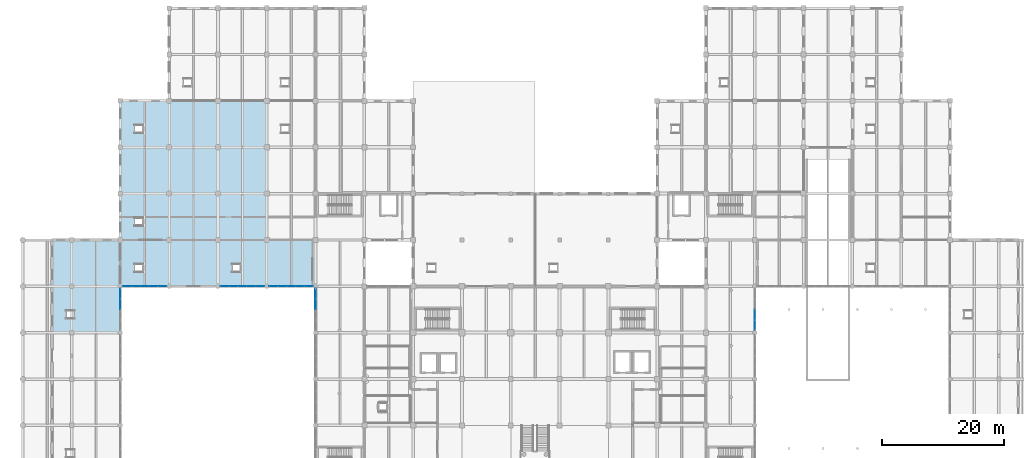
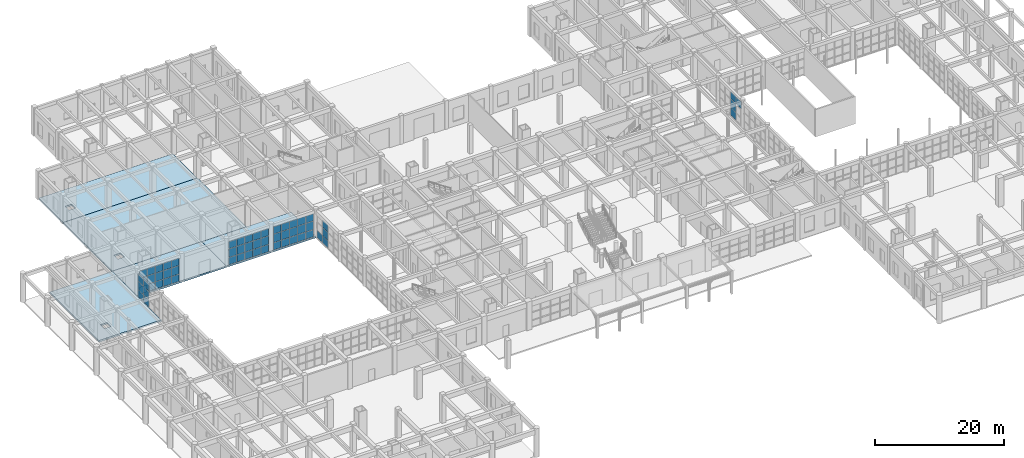
# One storey, part 62 of 95: 59 plates, 5 slabs, 6 elements without a shape of their own.
"""IFC4 building model written with IfcOpenShell, lengths in metres."""

from ifc_helpers import new_model, si_unit, direction, frame, origin, origin_2d, place, context, subcontext, project, spatial, polyline, rectangle, outline, extrude, material, layer, layer_set, type_object, element, aggregate, save


model = new_model("IFC4")

# Units and contexts
model_context = context("Model", 3, precision=1e-05, world=origin(), true_north=direction((0.0, 1.0)))
body_context = subcontext(model_context, "Body", "Model", "MODEL_VIEW")
ifc_project = project(units=[si_unit("LENGTHUNIT", "METRE"), si_unit("AREAUNIT", "SQUARE_METRE"), si_unit("VOLUMEUNIT", "CUBIC_METRE"), si_unit("PLANEANGLEUNIT", "RADIAN"), si_unit("MASSUNIT", "GRAM", prefix="KILO")], contexts=[model_context])

# Site, building, storey
site_placement = place(None, origin())
site = spatial("IfcSite", under=ifc_project, at=site_placement, CompositionType="ELEMENT")
building_placement = place(site_placement, origin())
building = spatial("IfcBuilding", under=site, at=building_placement, Name="Zantavel Square City Hall", CompositionType="ELEMENT")
storey_placement = place(building_placement, origin())
storey = spatial("IfcBuildingStorey", under=building, at=storey_placement, Name="L01", CompositionType="ELEMENT", Elevation=0.0)

# Slabs
ifc_material_1 = material(Name="Concrete C35/45", Category="concrete")
ifc_layer_1 = layer(ifc_material_1, 0.300048828125, Name="Concrete C35/45")
ifc_layer_set_1 = layer_set([ifc_layer_1], Name="Concrete C35/45")
slab_type = type_object("IfcSlabType", Name="Ground Civic Floor Slab 300mm C35/45", PredefinedType="FLOOR", material=ifc_layer_set_1)
slab_1_placement = place(storey_placement, frame((0.0, 0.0, -0.300048828125)))
element("IfcSlab", 1, at=slab_1_placement, inside=storey, type_object=slab_type, Name="L01 Floor Slab SLB-L01-V3W-02", PredefinedType="FLOOR", context=body_context, shape_type="SweptSolid", body=[
    extrude(outline(polyline([(16.0, 76.0), (16.0, 60.800048828125), (4.800048828125, 60.800048828125), (4.800048828125, 76.0), (16.0, 76.0)]), holes=[polyline([(8.39990234375, 64.39990234375), (7.199951171875, 64.39990234375), (7.199951171875, 63.199951171875), (8.39990234375, 63.199951171875), (8.39990234375, 64.39990234375)])]), origin(), (0.0, 0.0, 1.0), 0.300048828125),
])
slab_2_placement = place(storey_placement, frame((0.0, 0.0, -0.300048828125)))
element("IfcSlab", 2, at=slab_2_placement, inside=storey, type_object=slab_type, Name="L01 Floor Slab SLB-L01-V3N-01", PredefinedType="FLOOR", context=body_context, shape_type="SweptSolid", body=[
    extrude(outline(polyline([(32.0, 68.39990234375), (16.0, 68.39990234375), (16.0, 76.0), (32.0, 76.0), (32.0, 68.39990234375)]), holes=[polyline([(19.60009765625, 72.0), (18.39990234375, 72.0), (18.39990234375, 70.800048828125), (19.60009765625, 70.800048828125), (19.60009765625, 72.0)])]), origin(), (0.0, 0.0, 1.0), 0.300048828125),
])
slab_3_placement = place(storey_placement, frame((0.0, 0.0, -0.300048828125)))
element("IfcSlab", 3, at=slab_3_placement, inside=storey, type_object=slab_type, Name="L01 Floor Slab SLB-L01-V3N-02", PredefinedType="FLOOR", context=body_context, shape_type="SweptSolid", body=[
    extrude(outline(polyline([(32.0, 68.39990234375), (32.0, 76.0), (48.0, 76.0), (48.0, 68.39990234375), (32.0, 68.39990234375)]), holes=[polyline([(35.60009765625, 72.0), (34.39990234375, 72.0), (34.39990234375, 70.800048828125), (35.60009765625, 70.800048828125), (35.60009765625, 72.0)])]), origin(), (0.0, 0.0, 1.0), 0.300048828125),
])
slab_4_placement = place(storey_placement, frame((0.0, 0.0, -0.300048828125)))
element("IfcSlab", 4, at=slab_4_placement, inside=storey, type_object=slab_type, Name="L01 Floor Slab SLB-L01-V5M-01", PredefinedType="FLOOR", context=body_context, shape_type="SweptSolid", body=[
    extrude(outline(polyline([(40.0, 91.199951171875), (40.0, 76.0), (32.0, 76.0), (16.0, 76.0), (16.0, 91.199951171875), (40.0, 91.199951171875)]), holes=[polyline([(19.60009765625, 79.60009765625), (18.39990234375, 79.60009765625), (18.39990234375, 78.39990234375), (19.60009765625, 78.39990234375), (19.60009765625, 79.60009765625)])]), origin(), (0.0, 0.0, 1.0), 0.300048828125),
])
slab_5_placement = place(storey_placement, frame((0.0, 0.0, -0.300048828125)))
element("IfcSlab", 5, at=slab_5_placement, inside=storey, type_object=slab_type, Name="L01 Floor Slab SLB-L01-V5M-03", PredefinedType="FLOOR", context=body_context, shape_type="SweptSolid", body=[
    extrude(outline(polyline([(40.0, 98.800048828125), (40.0, 91.199951171875), (16.0, 91.199951171875), (16.0, 98.800048828125), (40.0, 98.800048828125)]), holes=[polyline([(19.60009765625, 94.800048828125), (18.39990234375, 94.800048828125), (18.39990234375, 93.60009765625), (19.60009765625, 93.60009765625), (19.60009765625, 94.800048828125)])]), origin(), (0.0, 0.0, 1.0), 0.300048828125),
])

# Curtain wall, plates
ifc_material_2 = material(Name="Anodised aluminium 6063-T6", Category="aluminium")
curtain_wall_type_1 = type_object("IfcCurtainWallType", Name="Curtain Wall CRT 7250x4510", PredefinedType="USERDEFINED", material=ifc_material_2)
curtain_wall_1_placement = place(storey_placement, origin())
curtain_wall_1 = element("IfcCurtainWall", 6, at=curtain_wall_1_placement, inside=storey, type_object=curtain_wall_type_1, Name="L01 Glazed Curtain Wall CW-L01-005", ObjectType="GLAZED CURTAIN WALL", PredefinedType="USERDEFINED")
ifc_material_3 = material(Name="Tempered safety glass low-E double glazing", Category="glass")
ifc_layer_2 = layer(ifc_material_3, 0.028076171875, Name="Tempered safety glass low-E double glazing")
ifc_layer_set_2 = layer_set([ifc_layer_2], Name="Tempered safety glass low-E double glazing")
plate_type_1 = type_object("IfcPlateType", Name="Low-E Curtain Glazing Panel 1450x1503x28", PredefinedType="CURTAIN_PANEL", material=ifc_layer_set_2)
plate_1_placement = place(storey_placement, frame((22.885009765625, 68.39990234375, 0.06005859375), z_axis=(0.0, 0.0, 1.0), x_axis=(-1.0, 0.0, 0.0)))
plate_1 = element("IfcPlate", 7, at=plate_1_placement, type_object=plate_type_1, Name="CW-005 panel 1.1", PredefinedType="CURTAIN_PANEL", context=body_context, shape_type="SweptSolid", body=[
    extrude(rectangle(XDim=1.360107421875, YDim=0.028076171875, at=origin_2d()), origin(), (0.0, 0.0, 1.0), 1.35302734375),
])
plate_2_placement = place(storey_placement, frame((22.885009765625, 68.39990234375, 1.472900390625), z_axis=(0.0, 0.0, 1.0), x_axis=(-1.0, 0.0, 0.0)))
plate_2 = element("IfcPlate", 8, at=plate_2_placement, type_object=plate_type_1, Name="CW-005 panel 1.2", PredefinedType="CURTAIN_PANEL", context=body_context, shape_type="SweptSolid", body=[
    extrude(rectangle(XDim=1.360107421875, YDim=0.028076171875, at=origin_2d()), origin(), (0.0, 0.0, 1.0), 1.56396484375),
])
plate_3_placement = place(storey_placement, frame((22.885009765625, 68.39990234375, 3.096923828125), z_axis=(0.0, 0.0, 1.0), x_axis=(-1.0, 0.0, 0.0)))
plate_3 = element("IfcPlate", 9, at=plate_3_placement, type_object=plate_type_1, Name="CW-005 panel 1.3", PredefinedType="CURTAIN_PANEL", context=body_context, shape_type="SweptSolid", body=[
    extrude(rectangle(XDim=1.360107421875, YDim=0.028076171875, at=origin_2d()), origin(), (0.0, 0.0, 1.0), 1.35302734375),
])
plate_4_placement = place(storey_placement, frame((21.449951171875, 68.39990234375, 0.06005859375), z_axis=(0.0, 0.0, 1.0), x_axis=(-1.0, 0.0, 0.0)))
plate_4 = element("IfcPlate", 10, at=plate_4_placement, type_object=plate_type_1, Name="CW-005 panel 2.1", PredefinedType="CURTAIN_PANEL", context=body_context, shape_type="SweptSolid", body=[
    extrude(rectangle(XDim=1.389892578125, YDim=0.028076171875, at=origin_2d()), origin(), (0.0, 0.0, 1.0), 1.35302734375),
])
plate_5_placement = place(storey_placement, frame((21.449951171875, 68.39990234375, 1.472900390625), z_axis=(0.0, 0.0, 1.0), x_axis=(-1.0, 0.0, 0.0)))
plate_5 = element("IfcPlate", 11, at=plate_5_placement, type_object=plate_type_1, Name="CW-005 panel 2.2", PredefinedType="CURTAIN_PANEL", context=body_context, shape_type="SweptSolid", body=[
    extrude(rectangle(XDim=1.389892578125, YDim=0.028076171875, at=origin_2d()), origin(), (0.0, 0.0, 1.0), 1.56396484375),
])
plate_6_placement = place(storey_placement, frame((21.449951171875, 68.39990234375, 3.096923828125), z_axis=(0.0, 0.0, 1.0), x_axis=(-1.0, 0.0, 0.0)))
plate_6 = element("IfcPlate", 12, at=plate_6_placement, type_object=plate_type_1, Name="CW-005 panel 2.3", PredefinedType="CURTAIN_PANEL", context=body_context, shape_type="SweptSolid", body=[
    extrude(rectangle(XDim=1.389892578125, YDim=0.028076171875, at=origin_2d()), origin(), (0.0, 0.0, 1.0), 1.35302734375),
])
plate_7_placement = place(storey_placement, frame((20.0, 68.39990234375, 0.06005859375), z_axis=(0.0, 0.0, 1.0), x_axis=(-1.0, 0.0, 0.0)))
plate_7 = element("IfcPlate", 13, at=plate_7_placement, type_object=plate_type_1, Name="CW-005 panel 3.1", PredefinedType="CURTAIN_PANEL", context=body_context, shape_type="SweptSolid", body=[
    extrude(rectangle(XDim=1.389892578125, YDim=0.028076171875, at=origin_2d()), origin(), (0.0, 0.0, 1.0), 1.35302734375),
])
plate_8_placement = place(storey_placement, frame((20.0, 68.39990234375, 1.472900390625), z_axis=(0.0, 0.0, 1.0), x_axis=(-1.0, 0.0, 0.0)))
plate_8 = element("IfcPlate", 14, at=plate_8_placement, type_object=plate_type_1, Name="CW-005 panel 3.2", PredefinedType="CURTAIN_PANEL", context=body_context, shape_type="SweptSolid", body=[
    extrude(rectangle(XDim=1.389892578125, YDim=0.028076171875, at=origin_2d()), origin(), (0.0, 0.0, 1.0), 1.56396484375),
])
plate_9_placement = place(storey_placement, frame((20.0, 68.39990234375, 3.096923828125), z_axis=(0.0, 0.0, 1.0), x_axis=(-1.0, 0.0, 0.0)))
plate_9 = element("IfcPlate", 15, at=plate_9_placement, type_object=plate_type_1, Name="CW-005 panel 3.3", PredefinedType="CURTAIN_PANEL", context=body_context, shape_type="SweptSolid", body=[
    extrude(rectangle(XDim=1.389892578125, YDim=0.028076171875, at=origin_2d()), origin(), (0.0, 0.0, 1.0), 1.35302734375),
])
plate_10_placement = place(storey_placement, frame((18.550048828125, 68.39990234375, 0.06005859375), z_axis=(0.0, 0.0, 1.0), x_axis=(-1.0, 0.0, 0.0)))
plate_10 = element("IfcPlate", 16, at=plate_10_placement, type_object=plate_type_1, Name="CW-005 panel 4.1", PredefinedType="CURTAIN_PANEL", context=body_context, shape_type="SweptSolid", body=[
    extrude(rectangle(XDim=1.389892578125, YDim=0.028076171875, at=origin_2d()), origin(), (0.0, 0.0, 1.0), 1.35302734375),
])
plate_11_placement = place(storey_placement, frame((18.550048828125, 68.39990234375, 1.472900390625), z_axis=(0.0, 0.0, 1.0), x_axis=(-1.0, 0.0, 0.0)))
plate_11 = element("IfcPlate", 17, at=plate_11_placement, type_object=plate_type_1, Name="CW-005 panel 4.2", PredefinedType="CURTAIN_PANEL", context=body_context, shape_type="SweptSolid", body=[
    extrude(rectangle(XDim=1.389892578125, YDim=0.028076171875, at=origin_2d()), origin(), (0.0, 0.0, 1.0), 1.56396484375),
])
plate_12_placement = place(storey_placement, frame((18.550048828125, 68.39990234375, 3.096923828125), z_axis=(0.0, 0.0, 1.0), x_axis=(-1.0, 0.0, 0.0)))
plate_12 = element("IfcPlate", 18, at=plate_12_placement, type_object=plate_type_1, Name="CW-005 panel 4.3", PredefinedType="CURTAIN_PANEL", context=body_context, shape_type="SweptSolid", body=[
    extrude(rectangle(XDim=1.389892578125, YDim=0.028076171875, at=origin_2d()), origin(), (0.0, 0.0, 1.0), 1.35302734375),
])
plate_13_placement = place(storey_placement, frame((17.114990234375, 68.39990234375, 0.06005859375), z_axis=(0.0, 0.0, 1.0), x_axis=(-1.0, 0.0, 0.0)))
plate_13 = element("IfcPlate", 19, at=plate_13_placement, type_object=plate_type_1, Name="CW-005 panel 5.1", PredefinedType="CURTAIN_PANEL", context=body_context, shape_type="SweptSolid", body=[
    extrude(rectangle(XDim=1.360107421875, YDim=0.028076171875, at=origin_2d()), origin(), (0.0, 0.0, 1.0), 1.35302734375),
])
plate_14_placement = place(storey_placement, frame((17.114990234375, 68.39990234375, 1.472900390625), z_axis=(0.0, 0.0, 1.0), x_axis=(-1.0, 0.0, 0.0)))
plate_14 = element("IfcPlate", 20, at=plate_14_placement, type_object=plate_type_1, Name="CW-005 panel 5.2", PredefinedType="CURTAIN_PANEL", context=body_context, shape_type="SweptSolid", body=[
    extrude(rectangle(XDim=1.360107421875, YDim=0.028076171875, at=origin_2d()), origin(), (0.0, 0.0, 1.0), 1.56396484375),
])
plate_15_placement = place(storey_placement, frame((17.114990234375, 68.39990234375, 3.096923828125), z_axis=(0.0, 0.0, 1.0), x_axis=(-1.0, 0.0, 0.0)))
plate_15 = element("IfcPlate", 21, at=plate_15_placement, type_object=plate_type_1, Name="CW-005 panel 5.3", PredefinedType="CURTAIN_PANEL", context=body_context, shape_type="SweptSolid", body=[
    extrude(rectangle(XDim=1.360107421875, YDim=0.028076171875, at=origin_2d()), origin(), (0.0, 0.0, 1.0), 1.35302734375),
])
aggregate(curtain_wall_1, [plate_1, plate_2, plate_3, plate_4, plate_5, plate_6, plate_7, plate_8, plate_9, plate_10, plate_11, plate_12, plate_13, plate_14, plate_15])

curtain_wall_2_placement = place(storey_placement, origin())
curtain_wall_2 = element("IfcCurtainWall", 22, at=curtain_wall_2_placement, inside=storey, type_object=curtain_wall_type_1, Name="L01 Glazed Curtain Wall CW-L01-018", ObjectType="GLAZED CURTAIN WALL", PredefinedType="USERDEFINED")
plate_16_placement = place(storey_placement, frame((46.885009765625, 68.39990234375, 0.06005859375), z_axis=(0.0, 0.0, 1.0), x_axis=(-1.0, 0.0, 0.0)))
plate_16 = element("IfcPlate", 23, at=plate_16_placement, type_object=plate_type_1, Name="CW-018 panel 1.1", PredefinedType="CURTAIN_PANEL", context=body_context, shape_type="SweptSolid", body=[
    extrude(rectangle(XDim=1.360107421875, YDim=0.028076171875, at=origin_2d()), origin(), (0.0, 0.0, 1.0), 1.35302734375),
])
plate_17_placement = place(storey_placement, frame((46.885009765625, 68.39990234375, 1.472900390625), z_axis=(0.0, 0.0, 1.0), x_axis=(-1.0, 0.0, 0.0)))
plate_17 = element("IfcPlate", 24, at=plate_17_placement, type_object=plate_type_1, Name="CW-018 panel 1.2", PredefinedType="CURTAIN_PANEL", context=body_context, shape_type="SweptSolid", body=[
    extrude(rectangle(XDim=1.360107421875, YDim=0.028076171875, at=origin_2d()), origin(), (0.0, 0.0, 1.0), 1.56396484375),
])
plate_18_placement = place(storey_placement, frame((46.885009765625, 68.39990234375, 3.096923828125), z_axis=(0.0, 0.0, 1.0), x_axis=(-1.0, 0.0, 0.0)))
plate_18 = element("IfcPlate", 25, at=plate_18_placement, type_object=plate_type_1, Name="CW-018 panel 1.3", PredefinedType="CURTAIN_PANEL", context=body_context, shape_type="SweptSolid", body=[
    extrude(rectangle(XDim=1.360107421875, YDim=0.028076171875, at=origin_2d()), origin(), (0.0, 0.0, 1.0), 1.35302734375),
])
plate_19_placement = place(storey_placement, frame((45.449951171875, 68.39990234375, 0.06005859375), z_axis=(0.0, 0.0, 1.0), x_axis=(-1.0, 0.0, 0.0)))
plate_19 = element("IfcPlate", 26, at=plate_19_placement, type_object=plate_type_1, Name="CW-018 panel 2.1", PredefinedType="CURTAIN_PANEL", context=body_context, shape_type="SweptSolid", body=[
    extrude(rectangle(XDim=1.389892578125, YDim=0.028076171875, at=origin_2d()), origin(), (0.0, 0.0, 1.0), 1.35302734375),
])
plate_20_placement = place(storey_placement, frame((45.449951171875, 68.39990234375, 1.472900390625), z_axis=(0.0, 0.0, 1.0), x_axis=(-1.0, 0.0, 0.0)))
plate_20 = element("IfcPlate", 27, at=plate_20_placement, type_object=plate_type_1, Name="CW-018 panel 2.2", PredefinedType="CURTAIN_PANEL", context=body_context, shape_type="SweptSolid", body=[
    extrude(rectangle(XDim=1.389892578125, YDim=0.028076171875, at=origin_2d()), origin(), (0.0, 0.0, 1.0), 1.56396484375),
])
plate_21_placement = place(storey_placement, frame((45.449951171875, 68.39990234375, 3.096923828125), z_axis=(0.0, 0.0, 1.0), x_axis=(-1.0, 0.0, 0.0)))
plate_21 = element("IfcPlate", 28, at=plate_21_placement, type_object=plate_type_1, Name="CW-018 panel 2.3", PredefinedType="CURTAIN_PANEL", context=body_context, shape_type="SweptSolid", body=[
    extrude(rectangle(XDim=1.389892578125, YDim=0.028076171875, at=origin_2d()), origin(), (0.0, 0.0, 1.0), 1.35302734375),
])
plate_22_placement = place(storey_placement, frame((44.0, 68.39990234375, 0.06005859375), z_axis=(0.0, 0.0, 1.0), x_axis=(-1.0, 0.0, 0.0)))
plate_22 = element("IfcPlate", 29, at=plate_22_placement, type_object=plate_type_1, Name="CW-018 panel 3.1", PredefinedType="CURTAIN_PANEL", context=body_context, shape_type="SweptSolid", body=[
    extrude(rectangle(XDim=1.389892578125, YDim=0.028076171875, at=origin_2d()), origin(), (0.0, 0.0, 1.0), 1.35302734375),
])
plate_23_placement = place(storey_placement, frame((44.0, 68.39990234375, 1.472900390625), z_axis=(0.0, 0.0, 1.0), x_axis=(-1.0, 0.0, 0.0)))
plate_23 = element("IfcPlate", 30, at=plate_23_placement, type_object=plate_type_1, Name="CW-018 panel 3.2", PredefinedType="CURTAIN_PANEL", context=body_context, shape_type="SweptSolid", body=[
    extrude(rectangle(XDim=1.389892578125, YDim=0.028076171875, at=origin_2d()), origin(), (0.0, 0.0, 1.0), 1.56396484375),
])
plate_24_placement = place(storey_placement, frame((44.0, 68.39990234375, 3.096923828125), z_axis=(0.0, 0.0, 1.0), x_axis=(-1.0, 0.0, 0.0)))
plate_24 = element("IfcPlate", 31, at=plate_24_placement, type_object=plate_type_1, Name="CW-018 panel 3.3", PredefinedType="CURTAIN_PANEL", context=body_context, shape_type="SweptSolid", body=[
    extrude(rectangle(XDim=1.389892578125, YDim=0.028076171875, at=origin_2d()), origin(), (0.0, 0.0, 1.0), 1.35302734375),
])
plate_25_placement = place(storey_placement, frame((42.550048828125, 68.39990234375, 0.06005859375), z_axis=(0.0, 0.0, 1.0), x_axis=(-1.0, 0.0, 0.0)))
plate_25 = element("IfcPlate", 32, at=plate_25_placement, type_object=plate_type_1, Name="CW-018 panel 4.1", PredefinedType="CURTAIN_PANEL", context=body_context, shape_type="SweptSolid", body=[
    extrude(rectangle(XDim=1.389892578125, YDim=0.028076171875, at=origin_2d()), origin(), (0.0, 0.0, 1.0), 1.35302734375),
])
plate_26_placement = place(storey_placement, frame((42.550048828125, 68.39990234375, 1.472900390625), z_axis=(0.0, 0.0, 1.0), x_axis=(-1.0, 0.0, 0.0)))
plate_26 = element("IfcPlate", 33, at=plate_26_placement, type_object=plate_type_1, Name="CW-018 panel 4.2", PredefinedType="CURTAIN_PANEL", context=body_context, shape_type="SweptSolid", body=[
    extrude(rectangle(XDim=1.389892578125, YDim=0.028076171875, at=origin_2d()), origin(), (0.0, 0.0, 1.0), 1.56396484375),
])
plate_27_placement = place(storey_placement, frame((42.550048828125, 68.39990234375, 3.096923828125), z_axis=(0.0, 0.0, 1.0), x_axis=(-1.0, 0.0, 0.0)))
plate_27 = element("IfcPlate", 34, at=plate_27_placement, type_object=plate_type_1, Name="CW-018 panel 4.3", PredefinedType="CURTAIN_PANEL", context=body_context, shape_type="SweptSolid", body=[
    extrude(rectangle(XDim=1.389892578125, YDim=0.028076171875, at=origin_2d()), origin(), (0.0, 0.0, 1.0), 1.35302734375),
])
plate_28_placement = place(storey_placement, frame((41.114990234375, 68.39990234375, 0.06005859375), z_axis=(0.0, 0.0, 1.0), x_axis=(-1.0, 0.0, 0.0)))
plate_28 = element("IfcPlate", 35, at=plate_28_placement, type_object=plate_type_1, Name="CW-018 panel 5.1", PredefinedType="CURTAIN_PANEL", context=body_context, shape_type="SweptSolid", body=[
    extrude(rectangle(XDim=1.360107421875, YDim=0.028076171875, at=origin_2d()), origin(), (0.0, 0.0, 1.0), 1.35302734375),
])
plate_29_placement = place(storey_placement, frame((41.114990234375, 68.39990234375, 1.472900390625), z_axis=(0.0, 0.0, 1.0), x_axis=(-1.0, 0.0, 0.0)))
plate_29 = element("IfcPlate", 36, at=plate_29_placement, type_object=plate_type_1, Name="CW-018 panel 5.2", PredefinedType="CURTAIN_PANEL", context=body_context, shape_type="SweptSolid", body=[
    extrude(rectangle(XDim=1.360107421875, YDim=0.028076171875, at=origin_2d()), origin(), (0.0, 0.0, 1.0), 1.56396484375),
])
plate_30_placement = place(storey_placement, frame((41.114990234375, 68.39990234375, 3.096923828125), z_axis=(0.0, 0.0, 1.0), x_axis=(-1.0, 0.0, 0.0)))
plate_30 = element("IfcPlate", 37, at=plate_30_placement, type_object=plate_type_1, Name="CW-018 panel 5.3", PredefinedType="CURTAIN_PANEL", context=body_context, shape_type="SweptSolid", body=[
    extrude(rectangle(XDim=1.360107421875, YDim=0.028076171875, at=origin_2d()), origin(), (0.0, 0.0, 1.0), 1.35302734375),
])
aggregate(curtain_wall_2, [plate_16, plate_17, plate_18, plate_19, plate_20, plate_21, plate_22, plate_23, plate_24, plate_25, plate_26, plate_27, plate_28, plate_29, plate_30])

curtain_wall_3_placement = place(storey_placement, origin())
curtain_wall_3 = element("IfcCurtainWall", 38, at=curtain_wall_3_placement, inside=storey, type_object=curtain_wall_type_1, Name="L01 Glazed Curtain Wall CW-L01-019", ObjectType="GLAZED CURTAIN WALL", PredefinedType="USERDEFINED")
plate_31_placement = place(storey_placement, frame((38.885009765625, 68.39990234375, 0.06005859375), z_axis=(0.0, 0.0, 1.0), x_axis=(-1.0, 0.0, 0.0)))
plate_31 = element("IfcPlate", 39, at=plate_31_placement, type_object=plate_type_1, Name="CW-019 panel 1.1", PredefinedType="CURTAIN_PANEL", context=body_context, shape_type="SweptSolid", body=[
    extrude(rectangle(XDim=1.360107421875, YDim=0.028076171875, at=origin_2d()), origin(), (0.0, 0.0, 1.0), 1.35302734375),
])
plate_32_placement = place(storey_placement, frame((38.885009765625, 68.39990234375, 1.472900390625), z_axis=(0.0, 0.0, 1.0), x_axis=(-1.0, 0.0, 0.0)))
plate_32 = element("IfcPlate", 40, at=plate_32_placement, type_object=plate_type_1, Name="CW-019 panel 1.2", PredefinedType="CURTAIN_PANEL", context=body_context, shape_type="SweptSolid", body=[
    extrude(rectangle(XDim=1.360107421875, YDim=0.028076171875, at=origin_2d()), origin(), (0.0, 0.0, 1.0), 1.56396484375),
])
plate_33_placement = place(storey_placement, frame((38.885009765625, 68.39990234375, 3.096923828125), z_axis=(0.0, 0.0, 1.0), x_axis=(-1.0, 0.0, 0.0)))
plate_33 = element("IfcPlate", 41, at=plate_33_placement, type_object=plate_type_1, Name="CW-019 panel 1.3", PredefinedType="CURTAIN_PANEL", context=body_context, shape_type="SweptSolid", body=[
    extrude(rectangle(XDim=1.360107421875, YDim=0.028076171875, at=origin_2d()), origin(), (0.0, 0.0, 1.0), 1.35302734375),
])
plate_34_placement = place(storey_placement, frame((37.449951171875, 68.39990234375, 0.06005859375), z_axis=(0.0, 0.0, 1.0), x_axis=(-1.0, 0.0, 0.0)))
plate_34 = element("IfcPlate", 42, at=plate_34_placement, type_object=plate_type_1, Name="CW-019 panel 2.1", PredefinedType="CURTAIN_PANEL", context=body_context, shape_type="SweptSolid", body=[
    extrude(rectangle(XDim=1.389892578125, YDim=0.028076171875, at=origin_2d()), origin(), (0.0, 0.0, 1.0), 1.35302734375),
])
plate_35_placement = place(storey_placement, frame((37.449951171875, 68.39990234375, 1.472900390625), z_axis=(0.0, 0.0, 1.0), x_axis=(-1.0, 0.0, 0.0)))
plate_35 = element("IfcPlate", 43, at=plate_35_placement, type_object=plate_type_1, Name="CW-019 panel 2.2", PredefinedType="CURTAIN_PANEL", context=body_context, shape_type="SweptSolid", body=[
    extrude(rectangle(XDim=1.389892578125, YDim=0.028076171875, at=origin_2d()), origin(), (0.0, 0.0, 1.0), 1.56396484375),
])
plate_36_placement = place(storey_placement, frame((37.449951171875, 68.39990234375, 3.096923828125), z_axis=(0.0, 0.0, 1.0), x_axis=(-1.0, 0.0, 0.0)))
plate_36 = element("IfcPlate", 44, at=plate_36_placement, type_object=plate_type_1, Name="CW-019 panel 2.3", PredefinedType="CURTAIN_PANEL", context=body_context, shape_type="SweptSolid", body=[
    extrude(rectangle(XDim=1.389892578125, YDim=0.028076171875, at=origin_2d()), origin(), (0.0, 0.0, 1.0), 1.35302734375),
])
plate_37_placement = place(storey_placement, frame((36.0, 68.39990234375, 0.06005859375), z_axis=(0.0, 0.0, 1.0), x_axis=(-1.0, 0.0, 0.0)))
plate_37 = element("IfcPlate", 45, at=plate_37_placement, type_object=plate_type_1, Name="CW-019 panel 3.1", PredefinedType="CURTAIN_PANEL", context=body_context, shape_type="SweptSolid", body=[
    extrude(rectangle(XDim=1.389892578125, YDim=0.028076171875, at=origin_2d()), origin(), (0.0, 0.0, 1.0), 1.35302734375),
])
plate_38_placement = place(storey_placement, frame((36.0, 68.39990234375, 1.472900390625), z_axis=(0.0, 0.0, 1.0), x_axis=(-1.0, 0.0, 0.0)))
plate_38 = element("IfcPlate", 46, at=plate_38_placement, type_object=plate_type_1, Name="CW-019 panel 3.2", PredefinedType="CURTAIN_PANEL", context=body_context, shape_type="SweptSolid", body=[
    extrude(rectangle(XDim=1.389892578125, YDim=0.028076171875, at=origin_2d()), origin(), (0.0, 0.0, 1.0), 1.56396484375),
])
plate_39_placement = place(storey_placement, frame((36.0, 68.39990234375, 3.096923828125), z_axis=(0.0, 0.0, 1.0), x_axis=(-1.0, 0.0, 0.0)))
plate_39 = element("IfcPlate", 47, at=plate_39_placement, type_object=plate_type_1, Name="CW-019 panel 3.3", PredefinedType="CURTAIN_PANEL", context=body_context, shape_type="SweptSolid", body=[
    extrude(rectangle(XDim=1.389892578125, YDim=0.028076171875, at=origin_2d()), origin(), (0.0, 0.0, 1.0), 1.35302734375),
])
plate_40_placement = place(storey_placement, frame((34.550048828125, 68.39990234375, 0.06005859375), z_axis=(0.0, 0.0, 1.0), x_axis=(-1.0, 0.0, 0.0)))
plate_40 = element("IfcPlate", 48, at=plate_40_placement, type_object=plate_type_1, Name="CW-019 panel 4.1", PredefinedType="CURTAIN_PANEL", context=body_context, shape_type="SweptSolid", body=[
    extrude(rectangle(XDim=1.389892578125, YDim=0.028076171875, at=origin_2d()), origin(), (0.0, 0.0, 1.0), 1.35302734375),
])
plate_41_placement = place(storey_placement, frame((34.550048828125, 68.39990234375, 1.472900390625), z_axis=(0.0, 0.0, 1.0), x_axis=(-1.0, 0.0, 0.0)))
plate_41 = element("IfcPlate", 49, at=plate_41_placement, type_object=plate_type_1, Name="CW-019 panel 4.2", PredefinedType="CURTAIN_PANEL", context=body_context, shape_type="SweptSolid", body=[
    extrude(rectangle(XDim=1.389892578125, YDim=0.028076171875, at=origin_2d()), origin(), (0.0, 0.0, 1.0), 1.56396484375),
])
plate_42_placement = place(storey_placement, frame((34.550048828125, 68.39990234375, 3.096923828125), z_axis=(0.0, 0.0, 1.0), x_axis=(-1.0, 0.0, 0.0)))
plate_42 = element("IfcPlate", 50, at=plate_42_placement, type_object=plate_type_1, Name="CW-019 panel 4.3", PredefinedType="CURTAIN_PANEL", context=body_context, shape_type="SweptSolid", body=[
    extrude(rectangle(XDim=1.389892578125, YDim=0.028076171875, at=origin_2d()), origin(), (0.0, 0.0, 1.0), 1.35302734375),
])
plate_43_placement = place(storey_placement, frame((33.114990234375, 68.39990234375, 0.06005859375), z_axis=(0.0, 0.0, 1.0), x_axis=(-1.0, 0.0, 0.0)))
plate_43 = element("IfcPlate", 51, at=plate_43_placement, type_object=plate_type_1, Name="CW-019 panel 5.1", PredefinedType="CURTAIN_PANEL", context=body_context, shape_type="SweptSolid", body=[
    extrude(rectangle(XDim=1.360107421875, YDim=0.028076171875, at=origin_2d()), origin(), (0.0, 0.0, 1.0), 1.35302734375),
])
plate_44_placement = place(storey_placement, frame((33.114990234375, 68.39990234375, 1.472900390625), z_axis=(0.0, 0.0, 1.0), x_axis=(-1.0, 0.0, 0.0)))
plate_44 = element("IfcPlate", 52, at=plate_44_placement, type_object=plate_type_1, Name="CW-019 panel 5.2", PredefinedType="CURTAIN_PANEL", context=body_context, shape_type="SweptSolid", body=[
    extrude(rectangle(XDim=1.360107421875, YDim=0.028076171875, at=origin_2d()), origin(), (0.0, 0.0, 1.0), 1.56396484375),
])
plate_45_placement = place(storey_placement, frame((33.114990234375, 68.39990234375, 3.096923828125), z_axis=(0.0, 0.0, 1.0), x_axis=(-1.0, 0.0, 0.0)))
plate_45 = element("IfcPlate", 53, at=plate_45_placement, type_object=plate_type_1, Name="CW-019 panel 5.3", PredefinedType="CURTAIN_PANEL", context=body_context, shape_type="SweptSolid", body=[
    extrude(rectangle(XDim=1.360107421875, YDim=0.028076171875, at=origin_2d()), origin(), (0.0, 0.0, 1.0), 1.35302734375),
])
aggregate(curtain_wall_3, [plate_31, plate_32, plate_33, plate_34, plate_35, plate_36, plate_37, plate_38, plate_39, plate_40, plate_41, plate_42, plate_43, plate_44, plate_45])

curtain_wall_type_2 = type_object("IfcCurtainWallType", Name="Curtain Wall CRT 6850x4460", PredefinedType="USERDEFINED", material=ifc_material_2)
curtain_wall_4_placement = place(storey_placement, origin())
curtain_wall_4 = element("IfcCurtainWall", 54, at=curtain_wall_4_placement, inside=storey, type_object=curtain_wall_type_2, Name="L01 Glazed Curtain Wall CW-L01-006", ObjectType="GLAZED CURTAIN WALL", PredefinedType="USERDEFINED")
ifc_layer_3 = layer(ifc_material_3, 0.028076171875, Name="Tempered safety glass low-E double glazing")
ifc_layer_set_3 = layer_set([ifc_layer_3], Name="Tempered safety glass low-E double glazing")
plate_type_2 = type_object("IfcPlateType", Name="Low-E Curtain Glazing Panel 1713x1487x28", PredefinedType="CURTAIN_PANEL", material=ifc_layer_set_3)
plate_46_placement = place(storey_placement, frame((16.0, 67.15380859375, 0.06005859375), z_axis=(0.0, 0.0, 1.0), x_axis=(0.0, -1.0, 0.0)))
plate_46 = element("IfcPlate", 55, at=plate_46_placement, type_object=plate_type_2, Name="CW-006 panel 1.1", PredefinedType="CURTAIN_PANEL", context=body_context, shape_type="SweptSolid", body=[
    extrude(rectangle(XDim=1.62255859375, YDim=0.028076171875, at=origin_2d()), origin(), (0.0, 0.0, 1.0), 1.3369140625),
])
plate_47_placement = place(storey_placement, frame((16.0, 67.15380859375, 1.45703125), z_axis=(0.0, 0.0, 1.0), x_axis=(0.0, -1.0, 0.0)))
plate_47 = element("IfcPlate", 56, at=plate_47_placement, type_object=plate_type_2, Name="CW-006 panel 1.2", PredefinedType="CURTAIN_PANEL", context=body_context, shape_type="SweptSolid", body=[
    extrude(rectangle(XDim=1.62255859375, YDim=0.028076171875, at=origin_2d()), origin(), (0.0, 0.0, 1.0), 1.5458984375),
])
plate_48_placement = place(storey_placement, frame((16.0, 67.15380859375, 3.06298828125), z_axis=(0.0, 0.0, 1.0), x_axis=(0.0, -1.0, 0.0)))
plate_48 = element("IfcPlate", 57, at=plate_48_placement, type_object=plate_type_2, Name="CW-006 panel 1.3", PredefinedType="CURTAIN_PANEL", context=body_context, shape_type="SweptSolid", body=[
    extrude(rectangle(XDim=1.62255859375, YDim=0.028076171875, at=origin_2d()), origin(), (0.0, 0.0, 1.0), 1.3369140625),
])
plate_49_placement = place(storey_placement, frame((16.0, 65.456298828125, 0.06005859375), z_axis=(0.0, 0.0, 1.0), x_axis=(0.0, -1.0, 0.0)))
plate_49 = element("IfcPlate", 58, at=plate_49_placement, type_object=plate_type_2, Name="CW-006 panel 2.1", PredefinedType="CURTAIN_PANEL", context=body_context, shape_type="SweptSolid", body=[
    extrude(rectangle(XDim=1.652587890625, YDim=0.028076171875, at=origin_2d()), origin(), (0.0, 0.0, 1.0), 1.3369140625),
])
plate_50_placement = place(storey_placement, frame((16.0, 65.456298828125, 1.45703125), z_axis=(0.0, 0.0, 1.0), x_axis=(0.0, -1.0, 0.0)))
plate_50 = element("IfcPlate", 59, at=plate_50_placement, type_object=plate_type_2, Name="CW-006 panel 2.2", PredefinedType="CURTAIN_PANEL", context=body_context, shape_type="SweptSolid", body=[
    extrude(rectangle(XDim=1.652587890625, YDim=0.028076171875, at=origin_2d()), origin(), (0.0, 0.0, 1.0), 1.5458984375),
])
plate_51_placement = place(storey_placement, frame((16.0, 65.456298828125, 3.06298828125), z_axis=(0.0, 0.0, 1.0), x_axis=(0.0, -1.0, 0.0)))
plate_51 = element("IfcPlate", 60, at=plate_51_placement, type_object=plate_type_2, Name="CW-006 panel 2.3", PredefinedType="CURTAIN_PANEL", context=body_context, shape_type="SweptSolid", body=[
    extrude(rectangle(XDim=1.652587890625, YDim=0.028076171875, at=origin_2d()), origin(), (0.0, 0.0, 1.0), 1.3369140625),
])
aggregate(curtain_wall_4, [plate_46, plate_47, plate_48, plate_49, plate_50, plate_51])

curtain_wall_5_placement = place(storey_placement, origin())
curtain_wall_5 = element("IfcCurtainWall", 61, at=curtain_wall_5_placement, inside=storey, type_object=curtain_wall_type_2, Name="L01 Glazed Curtain Wall CW-L01-017", ObjectType="GLAZED CURTAIN WALL", PredefinedType="USERDEFINED")
plate_52_placement = place(storey_placement, frame((48.0, 65.456298828125, 0.06005859375), z_axis=(0.0, 0.0, 1.0), x_axis=(0.0, 1.0, 0.0)))
plate_52 = element("IfcPlate", 62, at=plate_52_placement, type_object=plate_type_2, Name="CW-017 panel 3.1", PredefinedType="CURTAIN_PANEL", context=body_context, shape_type="SweptSolid", body=[
    extrude(rectangle(XDim=1.652587890625, YDim=0.028076171875, at=origin_2d()), origin(), (0.0, 0.0, 1.0), 1.3369140625),
])
plate_53_placement = place(storey_placement, frame((48.0, 65.456298828125, 1.45703125), z_axis=(0.0, 0.0, 1.0), x_axis=(0.0, 1.0, 0.0)))
plate_53 = element("IfcPlate", 63, at=plate_53_placement, type_object=plate_type_2, Name="CW-017 panel 3.2", PredefinedType="CURTAIN_PANEL", context=body_context, shape_type="SweptSolid", body=[
    extrude(rectangle(XDim=1.652587890625, YDim=0.028076171875, at=origin_2d()), origin(), (0.0, 0.0, 1.0), 1.5458984375),
])
plate_54_placement = place(storey_placement, frame((48.0, 65.456298828125, 3.06298828125), z_axis=(0.0, 0.0, 1.0), x_axis=(0.0, 1.0, 0.0)))
plate_54 = element("IfcPlate", 64, at=plate_54_placement, type_object=plate_type_2, Name="CW-017 panel 3.3", PredefinedType="CURTAIN_PANEL", context=body_context, shape_type="SweptSolid", body=[
    extrude(rectangle(XDim=1.652587890625, YDim=0.028076171875, at=origin_2d()), origin(), (0.0, 0.0, 1.0), 1.3369140625),
])
plate_55_placement = place(storey_placement, frame((48.0, 67.15380859375, 0.06005859375), z_axis=(0.0, 0.0, 1.0), x_axis=(0.0, 1.0, 0.0)))
plate_55 = element("IfcPlate", 65, at=plate_55_placement, type_object=plate_type_2, Name="CW-017 panel 4.1", PredefinedType="CURTAIN_PANEL", context=body_context, shape_type="SweptSolid", body=[
    extrude(rectangle(XDim=1.62255859375, YDim=0.028076171875, at=origin_2d()), origin(), (0.0, 0.0, 1.0), 1.3369140625),
])
aggregate(curtain_wall_5, [plate_52, plate_53, plate_54, plate_55])

curtain_wall_type_3 = type_object("IfcCurtainWallType", Name="Curtain Wall CRT 6850x4580", PredefinedType="USERDEFINED", material=ifc_material_2)
curtain_wall_6_placement = place(storey_placement, origin())
curtain_wall_6 = element("IfcCurtainWall", 66, at=curtain_wall_6_placement, inside=storey, type_object=curtain_wall_type_3, Name="L01 Glazed Curtain Wall CW-L01-023", ObjectType="GLAZED CURTAIN WALL", PredefinedType="USERDEFINED")
ifc_layer_4 = layer(ifc_material_3, 0.028076171875, Name="Tempered safety glass low-E double glazing")
ifc_layer_set_4 = layer_set([ifc_layer_4], Name="Tempered safety glass low-E double glazing")
plate_type_3 = type_object("IfcPlateType", Name="Low-E Curtain Glazing Panel 1713x1527x28", PredefinedType="CURTAIN_PANEL", material=ifc_layer_set_4)
plate_56_placement = place(storey_placement, frame((120.0, 63.74365234375, 0.06005859375), z_axis=(0.0, 0.0, 1.0), x_axis=(0.0, -1.0, 0.0)))
plate_56 = element("IfcPlate", 67, at=plate_56_placement, type_object=plate_type_3, Name="CW-023 panel 3.1", PredefinedType="CURTAIN_PANEL", context=body_context, shape_type="SweptSolid", body=[
    extrude(rectangle(XDim=1.652587890625, YDim=0.028076171875, at=origin_2d()), origin(), (0.0, 0.0, 1.0), 1.3759765625),
])
plate_57_placement = place(storey_placement, frame((120.0, 63.74365234375, 1.49609375), z_axis=(0.0, 0.0, 1.0), x_axis=(0.0, -1.0, 0.0)))
plate_57 = element("IfcPlate", 68, at=plate_57_placement, type_object=plate_type_3, Name="CW-023 panel 3.2", PredefinedType="CURTAIN_PANEL", context=body_context, shape_type="SweptSolid", body=[
    extrude(rectangle(XDim=1.652587890625, YDim=0.028076171875, at=origin_2d()), origin(), (0.0, 0.0, 1.0), 1.587890625),
])
plate_58_placement = place(storey_placement, frame((120.0, 63.74365234375, 3.14404296875), z_axis=(0.0, 0.0, 1.0), x_axis=(0.0, -1.0, 0.0)))
plate_58 = element("IfcPlate", 69, at=plate_58_placement, type_object=plate_type_3, Name="CW-023 panel 3.3", PredefinedType="CURTAIN_PANEL", context=body_context, shape_type="SweptSolid", body=[
    extrude(rectangle(XDim=1.652587890625, YDim=0.028076171875, at=origin_2d()), origin(), (0.0, 0.0, 1.0), 1.3759765625),
])
plate_59_placement = place(storey_placement, frame((120.0, 62.046142578125, 3.14404296875), z_axis=(0.0, 0.0, 1.0), x_axis=(0.0, -1.0, 0.0)))
plate_59 = element("IfcPlate", 70, at=plate_59_placement, type_object=plate_type_3, Name="CW-023 panel 4.3", PredefinedType="CURTAIN_PANEL", context=body_context, shape_type="SweptSolid", body=[
    extrude(rectangle(XDim=1.62255859375, YDim=0.028076171875, at=origin_2d()), origin(), (0.0, 0.0, 1.0), 1.3759765625),
])
aggregate(curtain_wall_6, [plate_56, plate_57, plate_58, plate_59])

save(model, "model.ifc")
